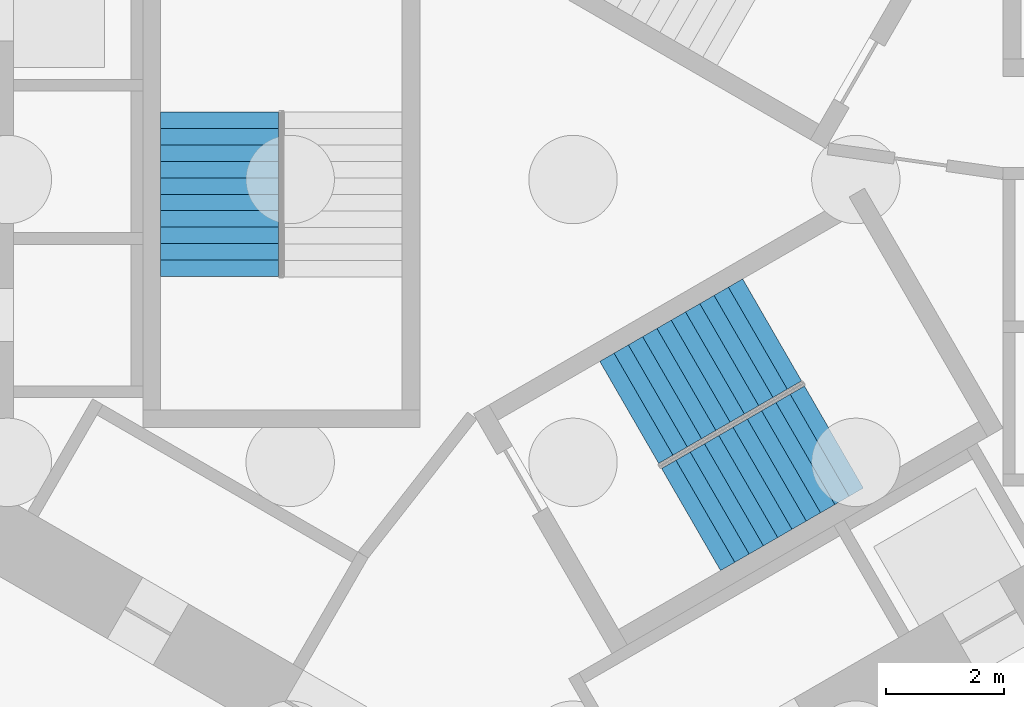
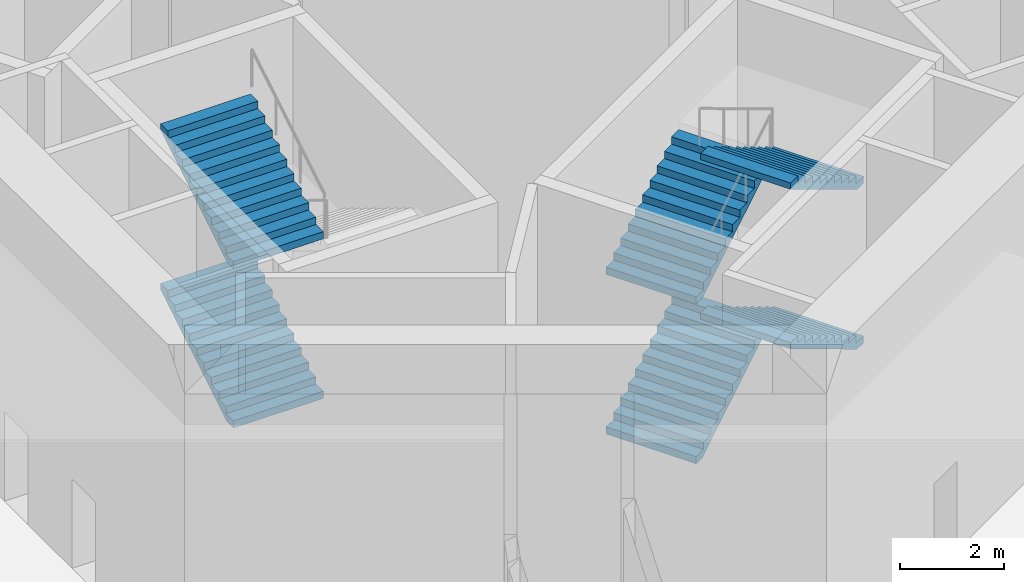
# One storey, part 12 of 16: 6 stair flights, 2 elements without a shape of their own.
"""IFC4 building model written with IfcOpenShell, lengths in metres."""

from ifc_helpers import new_model, si_unit, direction, frame, origin, place, context, subcontext, project, spatial, triangles, source, transform, mapped, material, type_object, element, aggregate, save


model = new_model("IFC4")

# Units and contexts
model_context = context("Model", 3, precision=1e-05, world=origin(), true_north=direction((0.0, 1.0)))
body_context = subcontext(model_context, "Body", "Model", "MODEL_VIEW")
ifc_project = project(units=[si_unit("LENGTHUNIT", "METRE"), si_unit("AREAUNIT", "SQUARE_METRE"), si_unit("VOLUMEUNIT", "CUBIC_METRE"), si_unit("PLANEANGLEUNIT", "RADIAN"), si_unit("MASSUNIT", "GRAM", prefix="KILO")], contexts=[model_context])

# Site, building, storey
site_placement = place(None, origin())
site = spatial("IfcSite", under=ifc_project, at=site_placement, CompositionType="ELEMENT")
building_placement = place(site_placement, origin())
building = spatial("IfcBuilding", under=site, at=building_placement, Name="Vanh Sen Convention Tower", CompositionType="ELEMENT")
storey_placement = place(building_placement, origin())
storey = spatial("IfcBuildingStorey", under=building, at=storey_placement, Name="L00", CompositionType="ELEMENT", Elevation=0.0)

# Stair, stair flights
ifc_material_1 = material(Name="Concrete C50/60", Category="concrete")
stair_type_1 = type_object("IfcStairType", Name="Exit stair ST2 44 risers at 170.5", PredefinedType="HALF_TURN_STAIR", material=ifc_material_1)
stair_1_placement = place(storey_placement, origin())
stair_1 = element("IfcStair", 1, at=stair_1_placement, inside=storey, type_object=stair_type_1, Name="Exit stair ST2 L00", PredefinedType="HALF_TURN_STAIR")
ifc_material_2 = material(Name="Concrete C40/50", Category="concrete")
stair_flight_type = type_object("IfcStairFlightType", Name="Stair flight 2000", PredefinedType="STRAIGHT", material=ifc_material_2)
shared_shape = source(origin(), body_context, "Body", "Tessellation", [
    triangles([(0.240478515625, 1.0, 0.0), (0.0, 1.0, 0.0), (0.0, 1.0, 0.17041015625), (0.280029296875, 1.0, 0.17041015625), (0.280029296875, 1.0, 0.3408203125), (0.56005859375, 1.0, 0.3408203125), (0.56005859375, 1.0, 0.511474609375), (0.840087890625, 1.0, 0.511474609375), (0.840087890625, 1.0, 0.681884765625), (1.1201171875, 1.0, 0.681884765625), (1.1201171875, 1.0, 0.852294921875), (1.39990234375, 1.0, 0.852294921875), (1.39990234375, 1.0, 1.022705078125), (1.679931640625, 1.0, 1.022705078125), (1.679931640625, 1.0, 1.193115234375), (1.9599609375, 1.0, 1.193115234375), (1.9599609375, 1.0, 1.363525390625), (2.239990234375, 1.0, 1.363525390625), (2.239990234375, 1.0, 1.5341796875), (2.52001953125, 1.0, 1.5341796875), (2.52001953125, 1.0, 1.70458984375), (2.800048828125, 1.0, 1.70458984375), (2.800048828125, 1.0, 1.55810546875), (0.240478515625, -1.0, 0.0), (0.0, -1.0, 0.0), (0.0, -1.0, 0.17041015625), (0.280029296875, -1.0, 0.17041015625), (0.280029296875, -1.0, 0.3408203125), (0.56005859375, -1.0, 0.3408203125), (0.56005859375, -1.0, 0.511474609375), (0.840087890625, -1.0, 0.511474609375), (0.840087890625, -1.0, 0.681884765625), (1.1201171875, -1.0, 0.681884765625), (1.1201171875, -1.0, 0.852294921875), (1.39990234375, -1.0, 0.852294921875), (1.39990234375, -1.0, 1.022705078125), (1.679931640625, -1.0, 1.022705078125), (1.679931640625, -1.0, 1.193115234375), (1.9599609375, -1.0, 1.193115234375), (1.9599609375, -1.0, 1.363525390625), (2.239990234375, -1.0, 1.363525390625), (2.239990234375, -1.0, 1.5341796875), (2.52001953125, -1.0, 1.5341796875), (2.52001953125, -1.0, 1.70458984375), (2.800048828125, -1.0, 1.70458984375), (2.800048828125, -1.0, 1.55810546875), (0.0, 0.0400390625, 0.0), (0.0, 0.0390625, 0.0), (0.0, 0.0380859375, 0.0), (0.0, 0.037109375, 0.0), (0.0, 0.035888671875, 0.0), (0.0, 0.034912109375, 0.0), (0.0, 0.033935546875, 0.0), (0.0, 0.032958984375, 0.0), (0.0, 0.031982421875, 0.0), (0.0, 0.031005859375, 0.0), (0.0, 0.030029296875, 0.0), (0.0, 0.029052734375, 0.0), (0.0, 0.028076171875, 0.0), (0.0, 0.027099609375, 0.0), (0.0, 0.02587890625, 0.0), (0.0, 0.02490234375, 0.0), (0.0, 0.02392578125, 0.0), (0.0, 0.02294921875, 0.0), (0.0, 0.02197265625, 0.0), (0.0, 0.02099609375, 0.0), (0.0, 0.02001953125, 0.0), (0.0, 0.01904296875, 0.0), (0.0, 0.01806640625, 0.0), (0.0, 0.01708984375, 0.0), (0.0, 0.01611328125, 0.0), (0.0, 0.014892578125, 0.0), (0.0, 0.013916015625, 0.0), (0.0, 0.012939453125, 0.0), (0.0, 0.011962890625, 0.0), (0.0, 0.010986328125, 0.0), (0.0, 0.010009765625, 0.0), (0.0, 0.009033203125, 0.0), (0.0, 0.008056640625, 0.0), (0.0, 0.007080078125, 0.0), (0.0, 0.006103515625, 0.0), (0.0, 0.0048828125, 0.0), (0.0, 0.00390625, 0.0), (0.0, 0.0029296875, 0.0), (0.0, 0.001953125, 0.0), (0.0, 0.0009765625, 0.0), (0.0, 0.0, 0.0), (0.0, -0.0009765625, 0.0), (0.0, -0.001953125, 0.0), (0.0, -0.0029296875, 0.0), (0.0, -0.00390625, 0.0), (0.0, -0.0048828125, 0.0), (0.0, -0.006103515625, 0.0), (0.0, -0.007080078125, 0.0), (0.0, -0.008056640625, 0.0), (0.0, -0.009033203125, 0.0), (0.0, -0.010009765625, 0.0), (0.0, -0.010986328125, 0.0), (0.0, -0.011962890625, 0.0), (0.0, -0.012939453125, 0.0), (0.0, -0.013916015625, 0.0), (0.0, -0.014892578125, 0.0), (0.0, -0.01611328125, 0.0), (0.0, -0.01708984375, 0.0), (0.0, -0.01806640625, 0.0), (0.0, -0.01904296875, 0.0), (0.0, -0.02001953125, 0.0), (0.0, -0.02099609375, 0.0), (0.0, -0.02197265625, 0.0), (0.0, -0.02294921875, 0.0), (0.0, -0.02392578125, 0.0), (0.0, -0.02490234375, 0.0), (0.0, -0.02587890625, 0.0), (0.0, -0.027099609375, 0.0), (0.0, -0.028076171875, 0.0), (0.0, -0.029052734375, 0.0), (0.0, -0.030029296875, 0.0), (0.0, -0.031005859375, 0.0), (0.0, -0.031982421875, 0.0), (0.0, -0.032958984375, 0.0), (0.0, -0.033935546875, 0.0), (0.0, -0.034912109375, 0.0), (0.0, -0.035888671875, 0.0), (0.0, -0.037109375, 0.0), (0.0, -0.0380859375, 0.0), (0.0, -0.0390625, 0.0), (0.0, -0.0400390625, 0.0), (0.0, 0.0400390625, 0.17041015625), (0.0, 0.0390625, 0.17041015625), (0.0, 0.0380859375, 0.17041015625), (0.0, 0.037109375, 0.17041015625), (0.0, 0.035888671875, 0.17041015625), (0.0, 0.034912109375, 0.17041015625), (0.0, 0.033935546875, 0.17041015625), (0.0, 0.032958984375, 0.17041015625), (0.0, 0.031982421875, 0.17041015625), (0.0, 0.031005859375, 0.17041015625), (0.0, 0.030029296875, 0.17041015625), (0.0, 0.029052734375, 0.17041015625), (0.0, 0.028076171875, 0.17041015625), (0.0, 0.027099609375, 0.17041015625), (0.0, 0.02587890625, 0.17041015625), (0.0, 0.02490234375, 0.17041015625), (0.0, 0.02392578125, 0.17041015625), (0.0, 0.02294921875, 0.17041015625), (0.0, 0.02197265625, 0.17041015625), (0.0, 0.02099609375, 0.17041015625), (0.0, 0.02001953125, 0.17041015625), (0.0, 0.01904296875, 0.17041015625), (0.0, 0.01806640625, 0.17041015625), (0.0, 0.01708984375, 0.17041015625), (0.0, 0.01611328125, 0.17041015625), (0.0, 0.014892578125, 0.17041015625), (0.0, 0.013916015625, 0.17041015625), (0.0, 0.012939453125, 0.17041015625), (0.0, 0.011962890625, 0.17041015625), (0.0, 0.010986328125, 0.17041015625), (0.0, 0.010009765625, 0.17041015625), (0.0, 0.009033203125, 0.17041015625), (0.0, 0.008056640625, 0.17041015625), (0.0, 0.007080078125, 0.17041015625), (0.0, 0.006103515625, 0.17041015625), (0.0, 0.0048828125, 0.17041015625), (0.0, 0.00390625, 0.17041015625), (0.0, 0.0029296875, 0.17041015625), (0.0, 0.001953125, 0.17041015625), (0.0, 0.0009765625, 0.17041015625), (0.0, 0.0, 0.17041015625), (0.0, -0.0009765625, 0.17041015625), (0.0, -0.001953125, 0.17041015625), (0.0, -0.0029296875, 0.17041015625), (0.0, -0.00390625, 0.17041015625), (0.0, -0.0048828125, 0.17041015625), (0.0, -0.006103515625, 0.17041015625), (0.0, -0.007080078125, 0.17041015625), (0.0, -0.008056640625, 0.17041015625), (0.0, -0.009033203125, 0.17041015625), (0.0, -0.010009765625, 0.17041015625), (0.0, -0.010986328125, 0.17041015625), (0.0, -0.011962890625, 0.17041015625), (0.0, -0.012939453125, 0.17041015625), (0.0, -0.013916015625, 0.17041015625), (0.0, -0.014892578125, 0.17041015625), (0.0, -0.01611328125, 0.17041015625), (0.0, -0.01708984375, 0.17041015625), (0.0, -0.01806640625, 0.17041015625), (0.0, -0.01904296875, 0.17041015625), (0.0, -0.02001953125, 0.17041015625), (0.0, -0.02099609375, 0.17041015625), (0.0, -0.02197265625, 0.17041015625), (0.0, -0.02294921875, 0.17041015625), (0.0, -0.02392578125, 0.17041015625), (0.0, -0.02490234375, 0.17041015625), (0.0, -0.02587890625, 0.17041015625), (0.0, -0.027099609375, 0.17041015625), (0.0, -0.028076171875, 0.17041015625), (0.0, -0.029052734375, 0.17041015625), (0.0, -0.030029296875, 0.17041015625), (0.0, -0.031005859375, 0.17041015625), (0.0, -0.031982421875, 0.17041015625), (0.0, -0.032958984375, 0.17041015625), (0.0, -0.033935546875, 0.17041015625), (0.0, -0.034912109375, 0.17041015625), (0.0, -0.035888671875, 0.17041015625), (0.0, -0.037109375, 0.17041015625), (0.0, -0.0380859375, 0.17041015625), (0.0, -0.0390625, 0.17041015625), (0.0, -0.0400390625, 0.17041015625), (0.280029296875, 0.0, 0.17041015625), (0.280029296875, 0.0, 0.3408203125), (0.56005859375, 0.0, 0.3408203125), (0.56005859375, 0.0, 0.511474609375), (0.840087890625, 0.0, 0.511474609375), (0.840087890625, 0.0, 0.681884765625), (1.1201171875, 0.0, 0.681884765625), (1.1201171875, 0.0, 0.852294921875), (1.39990234375, 0.0, 0.852294921875), (1.39990234375, 0.0, 1.022705078125), (1.679931640625, 0.0, 1.022705078125), (1.679931640625, 0.0, 1.193115234375), (1.9599609375, 0.0, 1.193115234375), (1.9599609375, 0.0, 1.363525390625), (2.239990234375, 0.0, 1.363525390625), (2.239990234375, 0.0, 1.5341796875), (2.52001953125, 0.0, 1.5341796875), (2.52001953125, 0.0, 1.70458984375), (2.800048828125, 0.0400390625, 1.70458984375), (2.800048828125, 0.0390625, 1.70458984375), (2.800048828125, 0.0380859375, 1.70458984375), (2.800048828125, 0.037109375, 1.70458984375), (2.800048828125, 0.035888671875, 1.70458984375), (2.800048828125, 0.034912109375, 1.70458984375), (2.800048828125, 0.033935546875, 1.70458984375), (2.800048828125, 0.032958984375, 1.70458984375), (2.800048828125, 0.031982421875, 1.70458984375), (2.800048828125, 0.031005859375, 1.70458984375), (2.800048828125, 0.030029296875, 1.70458984375), (2.800048828125, 0.029052734375, 1.70458984375), (2.800048828125, 0.028076171875, 1.70458984375), (2.800048828125, 0.027099609375, 1.70458984375), (2.800048828125, 0.02587890625, 1.70458984375), (2.800048828125, 0.02490234375, 1.70458984375), (2.800048828125, 0.02392578125, 1.70458984375), (2.800048828125, 0.02294921875, 1.70458984375), (2.800048828125, 0.02197265625, 1.70458984375), (2.800048828125, 0.02099609375, 1.70458984375), (2.800048828125, 0.02001953125, 1.70458984375), (2.800048828125, 0.01904296875, 1.70458984375), (2.800048828125, 0.01806640625, 1.70458984375), (2.800048828125, 0.01708984375, 1.70458984375), (2.800048828125, 0.01611328125, 1.70458984375), (2.800048828125, 0.014892578125, 1.70458984375), (2.800048828125, 0.013916015625, 1.70458984375), (2.800048828125, 0.012939453125, 1.70458984375), (2.800048828125, 0.011962890625, 1.70458984375), (2.800048828125, 0.010986328125, 1.70458984375), (2.800048828125, 0.010009765625, 1.70458984375), (2.800048828125, 0.009033203125, 1.70458984375), (2.800048828125, 0.008056640625, 1.70458984375), (2.800048828125, 0.007080078125, 1.70458984375), (2.800048828125, 0.006103515625, 1.70458984375), (2.800048828125, 0.0048828125, 1.70458984375), (2.800048828125, 0.00390625, 1.70458984375), (2.800048828125, 0.0029296875, 1.70458984375), (2.800048828125, 0.001953125, 1.70458984375), (2.800048828125, 0.0009765625, 1.70458984375), (2.800048828125, 0.0, 1.70458984375), (2.800048828125, -0.0009765625, 1.70458984375), (2.800048828125, -0.001953125, 1.70458984375), (2.800048828125, -0.0029296875, 1.70458984375), (2.800048828125, -0.00390625, 1.70458984375), (2.800048828125, -0.0048828125, 1.70458984375), (2.800048828125, -0.006103515625, 1.70458984375), (2.800048828125, -0.007080078125, 1.70458984375), (2.800048828125, -0.008056640625, 1.70458984375), (2.800048828125, -0.009033203125, 1.70458984375), (2.800048828125, -0.010009765625, 1.70458984375), (2.800048828125, -0.010986328125, 1.70458984375), (2.800048828125, -0.011962890625, 1.70458984375), (2.800048828125, -0.012939453125, 1.70458984375), (2.800048828125, -0.013916015625, 1.70458984375), (2.800048828125, -0.014892578125, 1.70458984375), (2.800048828125, -0.01611328125, 1.70458984375), (2.800048828125, -0.01708984375, 1.70458984375), (2.800048828125, -0.01806640625, 1.70458984375), (2.800048828125, -0.01904296875, 1.70458984375), (2.800048828125, -0.02001953125, 1.70458984375), (2.800048828125, -0.02099609375, 1.70458984375), (2.800048828125, -0.02197265625, 1.70458984375), (2.800048828125, -0.02294921875, 1.70458984375), (2.800048828125, -0.02392578125, 1.70458984375), (2.800048828125, -0.02490234375, 1.70458984375), (2.800048828125, -0.02587890625, 1.70458984375), (2.800048828125, -0.027099609375, 1.70458984375), (2.800048828125, -0.028076171875, 1.70458984375), (2.800048828125, -0.029052734375, 1.70458984375), (2.800048828125, -0.030029296875, 1.70458984375), (2.800048828125, -0.031005859375, 1.70458984375), (2.800048828125, -0.031982421875, 1.70458984375), (2.800048828125, -0.032958984375, 1.70458984375), (2.800048828125, -0.033935546875, 1.70458984375), (2.800048828125, -0.034912109375, 1.70458984375), (2.800048828125, -0.035888671875, 1.70458984375), (2.800048828125, -0.037109375, 1.70458984375), (2.800048828125, -0.0380859375, 1.70458984375), (2.800048828125, -0.0390625, 1.70458984375), (2.800048828125, -0.0400390625, 1.70458984375), (2.800048828125, 0.0400390625, 1.55810546875), (2.800048828125, 0.0390625, 1.55810546875), (2.800048828125, 0.0380859375, 1.55810546875), (2.800048828125, 0.037109375, 1.55810546875), (2.800048828125, 0.035888671875, 1.55810546875), (2.800048828125, 0.034912109375, 1.55810546875), (2.800048828125, 0.033935546875, 1.55810546875), (2.800048828125, 0.032958984375, 1.55810546875), (2.800048828125, 0.031982421875, 1.55810546875), (2.800048828125, 0.031005859375, 1.55810546875), (2.800048828125, 0.030029296875, 1.55810546875), (2.800048828125, 0.029052734375, 1.55810546875), (2.800048828125, 0.028076171875, 1.55810546875), (2.800048828125, 0.027099609375, 1.55810546875), (2.800048828125, 0.02587890625, 1.55810546875), (2.800048828125, 0.02490234375, 1.55810546875), (2.800048828125, 0.02392578125, 1.55810546875), (2.800048828125, 0.02294921875, 1.55810546875), (2.800048828125, 0.02197265625, 1.55810546875), (2.800048828125, 0.02099609375, 1.55810546875), (2.800048828125, 0.02001953125, 1.55810546875), (2.800048828125, 0.01904296875, 1.55810546875), (2.800048828125, 0.01806640625, 1.55810546875), (2.800048828125, 0.01708984375, 1.55810546875), (2.800048828125, 0.01611328125, 1.55810546875), (2.800048828125, 0.014892578125, 1.55810546875), (2.800048828125, 0.013916015625, 1.55810546875), (2.800048828125, 0.012939453125, 1.55810546875), (2.800048828125, 0.011962890625, 1.55810546875), (2.800048828125, 0.010986328125, 1.55810546875), (2.800048828125, 0.010009765625, 1.55810546875), (2.800048828125, 0.009033203125, 1.55810546875), (2.800048828125, 0.008056640625, 1.55810546875), (2.800048828125, 0.007080078125, 1.55810546875), (2.800048828125, 0.006103515625, 1.55810546875), (2.800048828125, 0.0048828125, 1.55810546875), (2.800048828125, 0.00390625, 1.55810546875), (2.800048828125, 0.0029296875, 1.55810546875), (2.800048828125, 0.001953125, 1.55810546875), (2.800048828125, 0.0009765625, 1.55810546875), (2.800048828125, 0.0, 1.55810546875), (2.800048828125, -0.0009765625, 1.55810546875), (2.800048828125, -0.001953125, 1.55810546875), (2.800048828125, -0.0029296875, 1.55810546875), (2.800048828125, -0.00390625, 1.55810546875), (2.800048828125, -0.0048828125, 1.55810546875), (2.800048828125, -0.006103515625, 1.55810546875), (2.800048828125, -0.007080078125, 1.55810546875), (2.800048828125, -0.008056640625, 1.55810546875), (2.800048828125, -0.009033203125, 1.55810546875), (2.800048828125, -0.010009765625, 1.55810546875), (2.800048828125, -0.010986328125, 1.55810546875), (2.800048828125, -0.011962890625, 1.55810546875), (2.800048828125, -0.012939453125, 1.55810546875), (2.800048828125, -0.013916015625, 1.55810546875), (2.800048828125, -0.014892578125, 1.55810546875), (2.800048828125, -0.01611328125, 1.55810546875), (2.800048828125, -0.01708984375, 1.55810546875), (2.800048828125, -0.01806640625, 1.55810546875), (2.800048828125, -0.01904296875, 1.55810546875), (2.800048828125, -0.02001953125, 1.55810546875), (2.800048828125, -0.02099609375, 1.55810546875), (2.800048828125, -0.02197265625, 1.55810546875), (2.800048828125, -0.02294921875, 1.55810546875), (2.800048828125, -0.02392578125, 1.55810546875), (2.800048828125, -0.02490234375, 1.55810546875), (2.800048828125, -0.02587890625, 1.55810546875), (2.800048828125, -0.027099609375, 1.55810546875), (2.800048828125, -0.028076171875, 1.55810546875), (2.800048828125, -0.029052734375, 1.55810546875), (2.800048828125, -0.030029296875, 1.55810546875), (2.800048828125, -0.031005859375, 1.55810546875), (2.800048828125, -0.031982421875, 1.55810546875), (2.800048828125, -0.032958984375, 1.55810546875), (2.800048828125, -0.033935546875, 1.55810546875), (2.800048828125, -0.034912109375, 1.55810546875), (2.800048828125, -0.035888671875, 1.55810546875), (2.800048828125, -0.037109375, 1.55810546875), (2.800048828125, -0.0380859375, 1.55810546875), (2.800048828125, -0.0390625, 1.55810546875), (2.800048828125, -0.0400390625, 1.55810546875), (0.240478515625, 0.0, 0.0)], [[1, 2, 3], [1, 3, 4], [4, 5, 6], [1, 4, 6], [6, 7, 8], [1, 6, 8], [8, 9, 10], [1, 8, 10], [10, 11, 12], [1, 10, 12], [12, 13, 14], [1, 12, 14], [14, 15, 16], [1, 14, 16], [16, 17, 18], [1, 16, 18], [18, 19, 20], [1, 18, 20], [20, 21, 22], [1, 20, 22], [22, 23, 1], [24, 26, 25], [24, 27, 26], [27, 29, 28], [24, 29, 27], [29, 31, 30], [24, 31, 29], [31, 33, 32], [24, 33, 31], [33, 35, 34], [24, 35, 33], [35, 37, 36], [24, 37, 35], [37, 39, 38], [24, 39, 37], [39, 41, 40], [24, 41, 39], [41, 43, 42], [24, 43, 41], [43, 45, 44], [24, 45, 43], [45, 24, 46], [2, 128, 3], [2, 47, 128], [47, 129, 128], [47, 48, 129], [48, 130, 129], [48, 49, 130], [49, 131, 130], [49, 50, 131], [50, 132, 131], [50, 51, 132], [51, 133, 132], [51, 52, 133], [52, 134, 133], [52, 53, 134], [53, 135, 134], [53, 54, 135], [54, 136, 135], [54, 55, 136], [55, 137, 136], [55, 56, 137], [56, 138, 137], [56, 57, 138], [57, 139, 138], [57, 58, 139], [58, 140, 139], [58, 59, 140], [59, 141, 140], [59, 60, 141], [60, 142, 141], [60, 61, 142], [61, 143, 142], [61, 62, 143], [62, 144, 143], [62, 63, 144], [63, 145, 144], [63, 64, 145], [64, 146, 145], [64, 65, 146], [65, 147, 146], [65, 66, 147], [66, 148, 147], [66, 67, 148], [67, 149, 148], [67, 68, 149], [68, 150, 149], [68, 69, 150], [69, 151, 150], [69, 70, 151], [70, 152, 151], [70, 71, 152], [71, 153, 152], [71, 72, 153], [72, 154, 153], [72, 73, 154], [73, 155, 154], [73, 74, 155], [74, 156, 155], [74, 75, 156], [75, 157, 156], [75, 76, 157], [76, 158, 157], [76, 77, 158], [77, 159, 158], [77, 78, 159], [78, 160, 159], [78, 79, 160], [79, 161, 160], [79, 80, 161], [80, 162, 161], [80, 81, 162], [81, 163, 162], [81, 82, 163], [82, 164, 163], [82, 83, 164], [83, 165, 164], [83, 84, 165], [84, 166, 165], [84, 85, 166], [85, 167, 166], [85, 86, 167], [86, 168, 167], [86, 87, 168], [87, 88, 168], [168, 88, 169], [88, 89, 169], [169, 89, 170], [89, 90, 170], [170, 90, 171], [90, 91, 171], [171, 91, 172], [91, 92, 172], [172, 92, 173], [92, 93, 173], [173, 93, 174], [93, 94, 174], [174, 94, 175], [94, 95, 175], [175, 95, 176], [95, 96, 176], [176, 96, 177], [96, 97, 177], [177, 97, 178], [97, 98, 178], [178, 98, 179], [98, 99, 179], [179, 99, 180], [99, 100, 180], [180, 100, 181], [100, 101, 181], [181, 101, 182], [101, 102, 182], [182, 102, 183], [102, 103, 183], [183, 103, 184], [103, 104, 184], [184, 104, 185], [104, 105, 185], [185, 105, 186], [105, 106, 186], [186, 106, 187], [106, 107, 187], [187, 107, 188], [107, 108, 188], [188, 108, 189], [108, 109, 189], [189, 109, 190], [109, 110, 190], [190, 110, 191], [110, 111, 191], [191, 111, 192], [111, 112, 192], [192, 112, 193], [112, 113, 193], [193, 113, 194], [113, 114, 194], [194, 114, 195], [114, 115, 195], [195, 115, 196], [115, 116, 196], [196, 116, 197], [116, 117, 197], [197, 117, 198], [117, 118, 198], [198, 118, 199], [118, 119, 199], [199, 119, 200], [119, 120, 200], [200, 120, 201], [120, 121, 201], [201, 121, 202], [121, 122, 202], [202, 122, 203], [122, 123, 203], [203, 123, 204], [123, 124, 204], [204, 124, 205], [124, 125, 205], [205, 125, 206], [125, 126, 206], [206, 126, 207], [126, 127, 207], [207, 127, 208], [127, 25, 208], [208, 25, 26], [4, 3, 128], [4, 128, 129], [4, 129, 130], [4, 130, 131], [4, 131, 132], [4, 132, 133], [4, 133, 134], [4, 134, 135], [4, 135, 136], [4, 136, 137], [4, 137, 138], [4, 138, 139], [4, 139, 140], [4, 140, 141], [4, 141, 142], [4, 142, 143], [4, 143, 144], [4, 144, 145], [4, 145, 146], [4, 146, 147], [4, 147, 148], [4, 148, 149], [4, 149, 150], [4, 150, 151], [4, 151, 152], [4, 152, 153], [4, 153, 154], [4, 154, 155], [4, 155, 156], [4, 156, 157], [4, 157, 158], [4, 158, 159], [4, 159, 160], [4, 160, 161], [4, 161, 162], [4, 162, 163], [4, 163, 164], [4, 164, 165], [4, 165, 166], [4, 166, 167], [4, 167, 168], [27, 168, 169], [27, 169, 170], [27, 170, 171], [27, 171, 172], [27, 172, 173], [27, 173, 174], [27, 174, 175], [27, 175, 176], [27, 176, 177], [27, 177, 178], [27, 178, 179], [27, 179, 180], [27, 180, 181], [27, 181, 182], [27, 182, 183], [27, 183, 184], [27, 184, 185], [27, 185, 186], [27, 186, 187], [27, 187, 188], [27, 188, 189], [27, 189, 190], [27, 190, 191], [27, 191, 192], [27, 192, 193], [27, 193, 194], [27, 194, 195], [27, 195, 196], [27, 196, 197], [27, 197, 198], [27, 198, 199], [27, 199, 200], [27, 200, 201], [27, 201, 202], [27, 202, 203], [27, 203, 204], [27, 204, 205], [27, 205, 206], [27, 206, 207], [27, 207, 208], [27, 208, 26], [4, 168, 209], [27, 209, 168], [4, 210, 5], [4, 209, 210], [209, 27, 210], [210, 27, 28], [5, 211, 6], [5, 210, 211], [210, 28, 211], [211, 28, 29], [6, 212, 7], [6, 211, 212], [211, 29, 212], [212, 29, 30], [7, 213, 8], [7, 212, 213], [212, 30, 213], [213, 30, 31], [8, 214, 9], [8, 213, 214], [213, 31, 214], [214, 31, 32], [9, 215, 10], [9, 214, 215], [214, 32, 215], [215, 32, 33], [10, 216, 11], [10, 215, 216], [215, 33, 216], [216, 33, 34], [11, 217, 12], [11, 216, 217], [216, 34, 217], [217, 34, 35], [12, 218, 13], [12, 217, 218], [217, 35, 218], [218, 35, 36], [13, 219, 14], [13, 218, 219], [218, 36, 219], [219, 36, 37], [14, 220, 15], [14, 219, 220], [219, 37, 220], [220, 37, 38], [15, 221, 16], [15, 220, 221], [220, 38, 221], [221, 38, 39], [16, 222, 17], [16, 221, 222], [221, 39, 222], [222, 39, 40], [17, 223, 18], [17, 222, 223], [222, 40, 223], [223, 40, 41], [18, 224, 19], [18, 223, 224], [223, 41, 224], [224, 41, 42], [19, 225, 20], [19, 224, 225], [224, 42, 225], [225, 42, 43], [20, 226, 21], [20, 225, 226], [225, 43, 226], [226, 43, 44], [21, 227, 22], [21, 228, 227], [21, 229, 228], [21, 230, 229], [21, 231, 230], [21, 232, 231], [21, 233, 232], [21, 234, 233], [21, 235, 234], [21, 236, 235], [21, 237, 236], [21, 238, 237], [21, 239, 238], [21, 240, 239], [21, 241, 240], [21, 242, 241], [21, 243, 242], [21, 244, 243], [21, 245, 244], [21, 246, 245], [21, 247, 246], [21, 248, 247], [21, 249, 248], [21, 250, 249], [21, 251, 250], [21, 252, 251], [21, 253, 252], [21, 254, 253], [21, 255, 254], [21, 256, 255], [21, 257, 256], [21, 258, 257], [21, 259, 258], [21, 260, 259], [21, 261, 260], [21, 262, 261], [21, 263, 262], [21, 264, 263], [21, 265, 264], [21, 266, 265], [21, 267, 266], [44, 268, 267], [44, 269, 268], [44, 270, 269], [44, 271, 270], [44, 272, 271], [44, 273, 272], [44, 274, 273], [44, 275, 274], [44, 276, 275], [44, 277, 276], [44, 278, 277], [44, 279, 278], [44, 280, 279], [44, 281, 280], [44, 282, 281], [44, 283, 282], [44, 284, 283], [44, 285, 284], [44, 286, 285], [44, 287, 286], [44, 288, 287], [44, 289, 288], [44, 290, 289], [44, 291, 290], [44, 292, 291], [44, 293, 292], [44, 294, 293], [44, 295, 294], [44, 296, 295], [44, 297, 296], [44, 298, 297], [44, 299, 298], [44, 300, 299], [44, 301, 300], [44, 302, 301], [44, 303, 302], [44, 304, 303], [44, 305, 304], [44, 306, 305], [44, 307, 306], [44, 45, 307], [21, 226, 267], [44, 267, 226], [22, 308, 23], [22, 227, 308], [227, 309, 308], [227, 228, 309], [228, 310, 309], [228, 229, 310], [229, 311, 310], [229, 230, 311], [230, 312, 311], [230, 231, 312], [231, 313, 312], [231, 232, 313], [232, 314, 313], [232, 233, 314], [233, 315, 314], [233, 234, 315], [234, 316, 315], [234, 235, 316], [235, 317, 316], [235, 236, 317], [236, 318, 317], [236, 237, 318], [237, 319, 318], [237, 238, 319], [238, 320, 319], [238, 239, 320], [239, 321, 320], [239, 240, 321], [240, 322, 321], [240, 241, 322], [241, 323, 322], [241, 242, 323], [242, 324, 323], [242, 243, 324], [243, 325, 324], [243, 244, 325], [244, 326, 325], [244, 245, 326], [245, 327, 326], [245, 246, 327], [246, 328, 327], [246, 247, 328], [247, 329, 328], [247, 248, 329], [248, 330, 329], [248, 249, 330], [249, 331, 330], [249, 250, 331], [250, 332, 331], [250, 251, 332], [251, 333, 332], [251, 252, 333], [252, 334, 333], [252, 253, 334], [253, 335, 334], [253, 254, 335], [254, 336, 335], [254, 255, 336], [255, 337, 336], [255, 256, 337], [256, 338, 337], [256, 257, 338], [257, 339, 338], [257, 258, 339], [258, 340, 339], [258, 259, 340], [259, 341, 340], [259, 260, 341], [260, 342, 341], [260, 261, 342], [261, 343, 342], [261, 262, 343], [262, 344, 343], [262, 263, 344], [263, 345, 344], [263, 264, 345], [264, 346, 345], [264, 265, 346], [265, 347, 346], [265, 266, 347], [266, 348, 347], [266, 267, 348], [267, 268, 348], [348, 268, 349], [268, 269, 349], [349, 269, 350], [269, 270, 350], [350, 270, 351], [270, 271, 351], [351, 271, 352], [271, 272, 352], [352, 272, 353], [272, 273, 353], [353, 273, 354], [273, 274, 354], [354, 274, 355], [274, 275, 355], [355, 275, 356], [275, 276, 356], [356, 276, 357], [276, 277, 357], [357, 277, 358], [277, 278, 358], [358, 278, 359], [278, 279, 359], [359, 279, 360], [279, 280, 360], [360, 280, 361], [280, 281, 361], [361, 281, 362], [281, 282, 362], [362, 282, 363], [282, 283, 363], [363, 283, 364], [283, 284, 364], [364, 284, 365], [284, 285, 365], [365, 285, 366], [285, 286, 366], [366, 286, 367], [286, 287, 367], [367, 287, 368], [287, 288, 368], [368, 288, 369], [288, 289, 369], [369, 289, 370], [289, 290, 370], [370, 290, 371], [290, 291, 371], [371, 291, 372], [291, 292, 372], [372, 292, 373], [292, 293, 373], [373, 293, 374], [293, 294, 374], [374, 294, 375], [294, 295, 375], [375, 295, 376], [295, 296, 376], [376, 296, 377], [296, 297, 377], [377, 297, 378], [297, 298, 378], [378, 298, 379], [298, 299, 379], [379, 299, 380], [299, 300, 380], [380, 300, 381], [300, 301, 381], [381, 301, 382], [301, 302, 382], [382, 302, 383], [302, 303, 383], [383, 303, 384], [303, 304, 384], [384, 304, 385], [304, 305, 385], [385, 305, 386], [305, 306, 386], [386, 306, 387], [306, 307, 387], [387, 307, 388], [307, 45, 388], [388, 45, 46], [1, 23, 308], [1, 308, 309], [1, 309, 310], [1, 310, 311], [1, 311, 312], [1, 312, 313], [1, 313, 314], [1, 314, 315], [1, 315, 316], [1, 316, 317], [1, 317, 318], [1, 318, 319], [1, 319, 320], [1, 320, 321], [1, 321, 322], [1, 322, 323], [1, 323, 324], [1, 324, 325], [1, 325, 326], [1, 326, 327], [1, 327, 328], [1, 328, 329], [1, 329, 330], [1, 330, 331], [1, 331, 332], [1, 332, 333], [1, 333, 334], [1, 334, 335], [1, 335, 336], [1, 336, 337], [1, 337, 338], [1, 338, 339], [1, 339, 340], [1, 340, 341], [1, 341, 342], [1, 342, 343], [1, 343, 344], [1, 344, 345], [1, 345, 346], [1, 346, 347], [1, 347, 348], [24, 348, 349], [24, 349, 350], [24, 350, 351], [24, 351, 352], [24, 352, 353], [24, 353, 354], [24, 354, 355], [24, 355, 356], [24, 356, 357], [24, 357, 358], [24, 358, 359], [24, 359, 360], [24, 360, 361], [24, 361, 362], [24, 362, 363], [24, 363, 364], [24, 364, 365], [24, 365, 366], [24, 366, 367], [24, 367, 368], [24, 368, 369], [24, 369, 370], [24, 370, 371], [24, 371, 372], [24, 372, 373], [24, 373, 374], [24, 374, 375], [24, 375, 376], [24, 376, 377], [24, 377, 378], [24, 378, 379], [24, 379, 380], [24, 380, 381], [24, 381, 382], [24, 382, 383], [24, 383, 384], [24, 384, 385], [24, 385, 386], [24, 386, 387], [24, 387, 388], [24, 388, 46], [1, 348, 389], [24, 389, 348], [1, 47, 2], [1, 48, 47], [1, 49, 48], [1, 50, 49], [1, 51, 50], [1, 52, 51], [1, 53, 52], [1, 54, 53], [1, 55, 54], [1, 56, 55], [1, 57, 56], [1, 58, 57], [1, 59, 58], [1, 60, 59], [1, 61, 60], [1, 62, 61], [1, 63, 62], [1, 64, 63], [1, 65, 64], [1, 66, 65], [1, 67, 66], [1, 68, 67], [1, 69, 68], [1, 70, 69], [1, 71, 70], [1, 72, 71], [1, 73, 72], [1, 74, 73], [1, 75, 74], [1, 76, 75], [1, 77, 76], [1, 78, 77], [1, 79, 78], [1, 80, 79], [1, 81, 80], [1, 82, 81], [1, 83, 82], [1, 84, 83], [1, 85, 84], [1, 86, 85], [1, 87, 86], [24, 88, 87], [24, 89, 88], [24, 90, 89], [24, 91, 90], [24, 92, 91], [24, 93, 92], [24, 94, 93], [24, 95, 94], [24, 96, 95], [24, 97, 96], [24, 98, 97], [24, 99, 98], [24, 100, 99], [24, 101, 100], [24, 102, 101], [24, 103, 102], [24, 104, 103], [24, 105, 104], [24, 106, 105], [24, 107, 106], [24, 108, 107], [24, 109, 108], [24, 110, 109], [24, 111, 110], [24, 112, 111], [24, 113, 112], [24, 114, 113], [24, 115, 114], [24, 116, 115], [24, 117, 116], [24, 118, 117], [24, 119, 118], [24, 120, 119], [24, 121, 120], [24, 122, 121], [24, 123, 122], [24, 124, 123], [24, 125, 124], [24, 126, 125], [24, 127, 126], [24, 25, 127], [1, 389, 87], [24, 87, 389]], closed=True),
])
stair_flight_1_placement = place(storey_placement, frame((-6.0, -1.64990234375, 1.875), z_axis=(0.0, 0.0, 1.0), x_axis=(0.0, 1.0, 0.0)))
stair_flight_1 = element("IfcStairFlight", 2, at=stair_flight_1_placement, type_object=stair_flight_type, Name="ST2 flight 2", NumberOfRisers=11, NumberOfTreads=10, PredefinedType="STRAIGHT", RiserHeight=0.170454545, TreadLength=0.28, context=body_context, shape_type="MappedRepresentation", body=[
    mapped(shared_shape, transform((0.0, 0.0, 0.0))),
])
stair_flight_2_placement = place(storey_placement, frame((-6.0, -1.64990234375, 5.625), z_axis=(0.0, 0.0, 1.0), x_axis=(0.0, 1.0, 0.0)))
stair_flight_2 = element("IfcStairFlight", 3, at=stair_flight_2_placement, type_object=stair_flight_type, Name="ST2 flight 4", NumberOfRisers=11, NumberOfTreads=10, PredefinedType="STRAIGHT", RiserHeight=0.170454545, TreadLength=0.28, context=body_context, shape_type="MappedRepresentation", body=[
    mapped(shared_shape, transform((0.0, 0.0, 0.0))),
])
aggregate(stair_1, [stair_flight_1, stair_flight_2])

stair_type_2 = type_object("IfcStairType", Name="Exit stair ST3 44 risers at 170.5", PredefinedType="HALF_TURN_STAIR", material=ifc_material_1)
stair_2_placement = place(storey_placement, origin())
stair_2 = element("IfcStair", 4, at=stair_2_placement, inside=storey, type_object=stair_type_2, Name="Exit stair ST3 L00", PredefinedType="HALF_TURN_STAIR")
stair_flight_3_placement = place(storey_placement, frame((0.9541015625, -3.952392578125, 0.0), z_axis=(0.0, 0.0, 1.0), x_axis=(0.866025403784, 0.5, 0.0)))
stair_flight_3 = element("IfcStairFlight", 5, at=stair_flight_3_placement, type_object=stair_flight_type, Name="ST3 flight 1", NumberOfRisers=11, NumberOfTreads=10, PredefinedType="STRAIGHT", RiserHeight=0.170454545, TreadLength=0.28, context=body_context, shape_type="MappedRepresentation", body=[
    mapped(shared_shape, transform((0.0, 0.0, 0.0))),
])
stair_flight_4_placement = place(storey_placement, frame((4.428955078125, -4.37109375, 1.875), z_axis=(0.0, 0.0, 1.0), x_axis=(-0.866025403784, -0.5, 0.0)))
stair_flight_4 = element("IfcStairFlight", 6, at=stair_flight_4_placement, type_object=stair_flight_type, Name="ST3 flight 2", NumberOfRisers=11, NumberOfTreads=10, PredefinedType="STRAIGHT", RiserHeight=0.170454545, TreadLength=0.28, context=body_context, shape_type="MappedRepresentation", body=[
    mapped(shared_shape, transform((0.0, 0.0, 0.0))),
])
stair_flight_5_placement = place(storey_placement, frame((0.9541015625, -3.952392578125, 3.75), z_axis=(0.0, 0.0, 1.0), x_axis=(0.866025403784, 0.5, 0.0)))
stair_flight_5 = element("IfcStairFlight", 7, at=stair_flight_5_placement, type_object=stair_flight_type, Name="ST3 flight 3", NumberOfRisers=11, NumberOfTreads=10, PredefinedType="STRAIGHT", RiserHeight=0.170454545, TreadLength=0.28, context=body_context, shape_type="MappedRepresentation", body=[
    mapped(shared_shape, transform((0.0, 0.0, 0.0))),
])
stair_flight_6_placement = place(storey_placement, frame((4.428955078125, -4.37109375, 5.625), z_axis=(0.0, 0.0, 1.0), x_axis=(-0.866025403784, -0.5, 0.0)))
stair_flight_6 = element("IfcStairFlight", 8, at=stair_flight_6_placement, type_object=stair_flight_type, Name="ST3 flight 4", NumberOfRisers=11, NumberOfTreads=10, PredefinedType="STRAIGHT", RiserHeight=0.170454545, TreadLength=0.28, context=body_context, shape_type="MappedRepresentation", body=[
    mapped(shared_shape, transform((0.0, 0.0, 0.0))),
])
aggregate(stair_2, [stair_flight_3, stair_flight_4, stair_flight_5, stair_flight_6])

save(model, "model.ifc")
